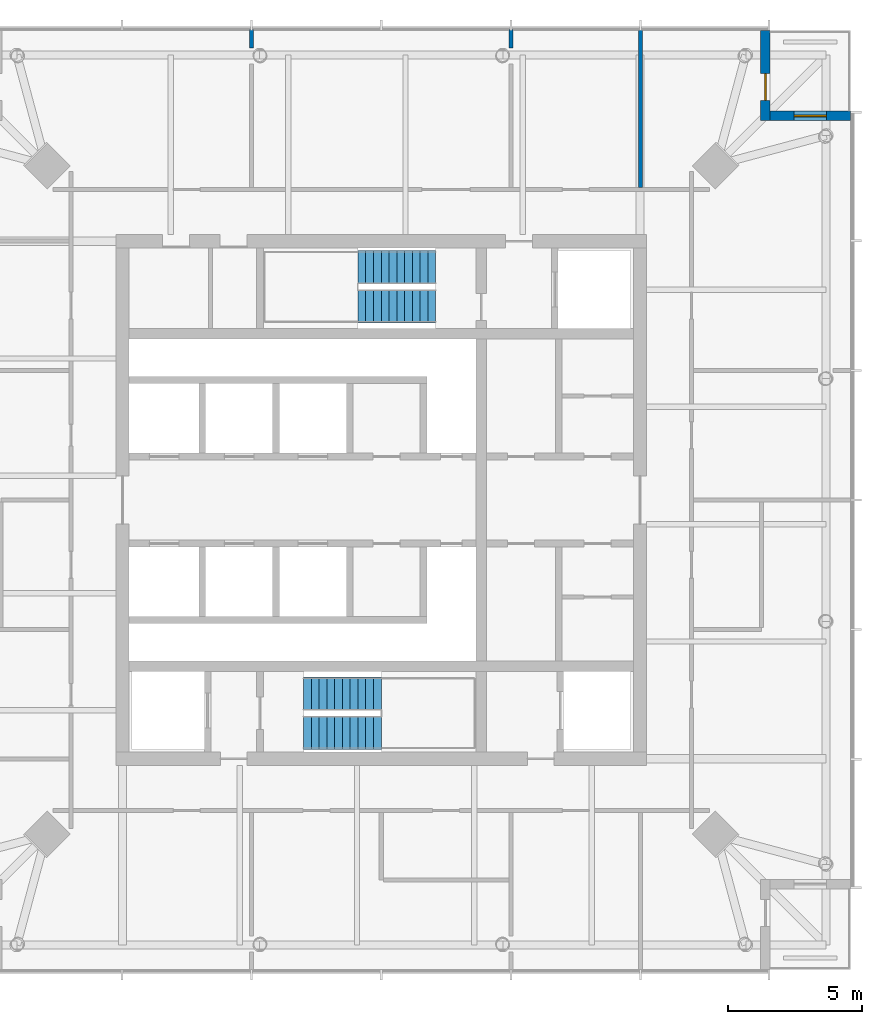
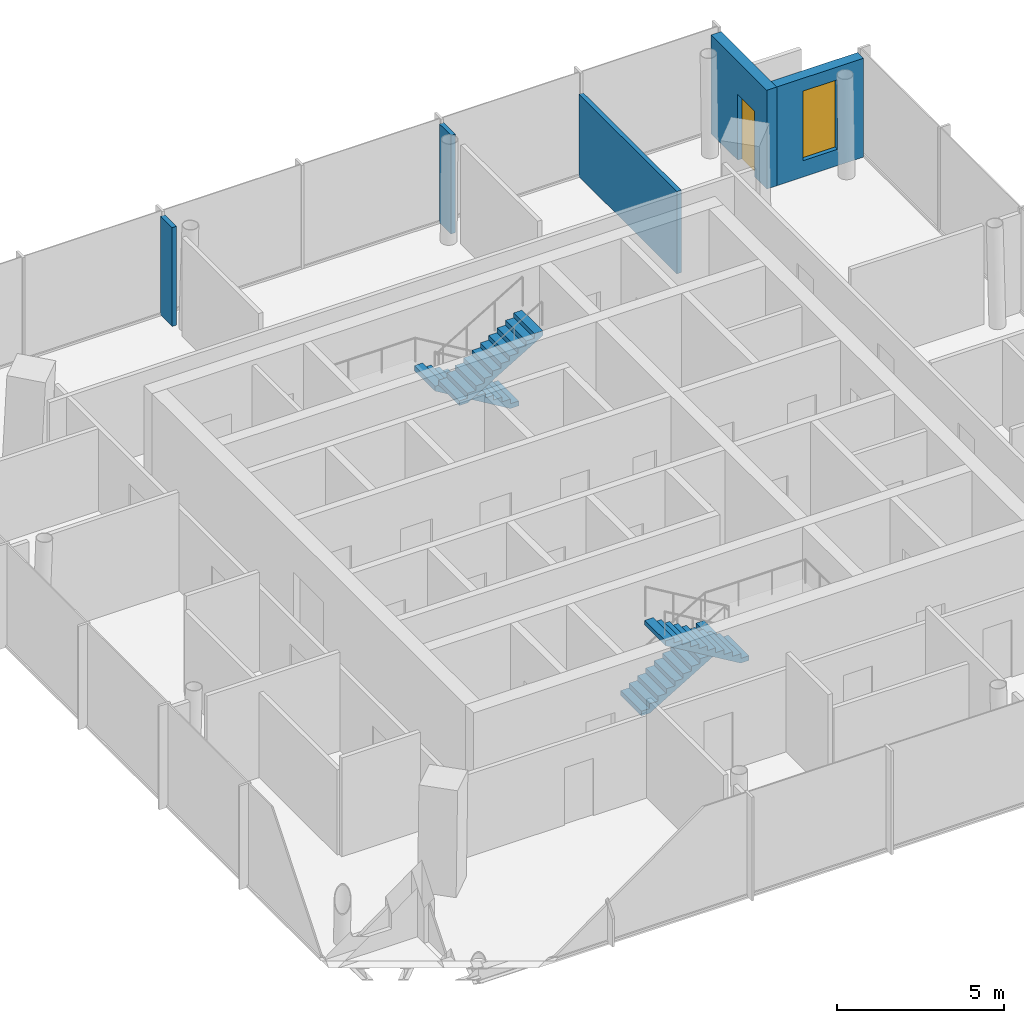
# One storey, part 6 of 7: 5 walls, 4 stair flights, 1 door, 1 window, 2 openings, 2 elements without a shape of their own.
"""IFC4 building model written with IfcOpenShell, lengths in metres."""

import ifcopenshell
import ifcopenshell.guid

model = None  # the IFC model being written
_history = None  # IfcOwnerHistory: only IFC2X3 demands one
_inside = {}  # id of a spatial element -> (the spatial element, [elements in it])
_under = {}  # id of a project, library or spatial element -> (it, [spatial elements below it])
_declared = {}  # id of a project -> (the project, [libraries it declares])
_typed = {}  # id of a type object -> (the type object, [elements of that type])
_made_of = {}  # id of a material, layer set ... -> (it, [elements and type objects made of it])


def new_model(schema):
    """Start an empty IFC model of exactly this schema.

    Asked for "IFC4X3", IfcOpenShell would pick the latest addendum, in which some entities
    have other attributes; the version numbers below select the first issue.
    IFC2X3 requires an IfcOwnerHistory on every rooted entity: one is made here for all.
    """
    global model, _history
    if schema == "IFC4X3":
        model = ifcopenshell.file(schema_version=(4, 3, 0, 0))
    else:
        model = ifcopenshell.file(schema=schema)
    _inside.clear()
    _under.clear()
    _declared.clear()
    _typed.clear()
    _made_of.clear()
    _history = None
    if model.schema == "IFC2X3":
        org = make("IfcOrganization", Name="unknown")
        user = make(
            "IfcPersonAndOrganization",
            ThePerson=make("IfcPerson", FamilyName="unknown"),
            TheOrganization=org,
        )
        app = make(
            "IfcApplication",
            ApplicationDeveloper=org,
            Version="unknown",
            ApplicationFullName="unknown",
            ApplicationIdentifier="unknown",
        )
        _history = make(
            "IfcOwnerHistory",
            OwningUser=user,
            OwningApplication=app,
            ChangeAction="ADDED",
            CreationDate=0,
        )
    return model


def make(cls, **values):
    """One entity of the class cls with the attributes given. An attribute that is None is left unset."""
    return model.create_entity(
        cls, **{name: value for name, value in values.items() if value is not None}
    )


def rooted(cls, **values):
    """An entity with a GlobalId (a new one), such as an element, a storey or a relation."""
    return make(cls, GlobalId=ifcopenshell.guid.new(), OwnerHistory=_history, **values)


def si_unit(unit_type, name, prefix=None):
    """IfcSIUnit, for example si_unit("LENGTHUNIT", "METRE", prefix="MILLI")."""
    return make("IfcSIUnit", UnitType=unit_type, Prefix=prefix, Name=name)


def assignment(units):
    """IfcUnitAssignment: the units of a project."""
    return None if units is None else make("IfcUnitAssignment", Units=units)


def point(xyz):
    """IfcCartesianPoint."""
    return None if xyz is None else make("IfcCartesianPoint", Coordinates=xyz)


def direction(xyz):
    """IfcDirection."""
    return None if xyz is None else make("IfcDirection", DirectionRatios=xyz)


def frame(location, z_axis=None, x_axis=None):
    """IfcAxis2Placement3D, a coordinate frame: its origin and axes. An axis left out is left unset."""
    return make(
        "IfcAxis2Placement3D",
        Location=point(location),
        Axis=direction(z_axis),
        RefDirection=direction(x_axis),
    )


def frame_2d(location, x_axis=None):
    """IfcAxis2Placement2D, a coordinate frame in the plane: its origin and x axis."""
    return make(
        "IfcAxis2Placement2D", Location=point(location), RefDirection=direction(x_axis)
    )


def origin():
    """The frame at (0, 0, 0) with its axes left unset."""
    return frame((0.0, 0.0, 0.0))


def place(relative_to, where):
    """IfcLocalPlacement: puts the frame where relative to a parent placement (None: the world)."""
    return make(
        "IfcLocalPlacement", PlacementRelTo=relative_to, RelativePlacement=where
    )


def context(
    kind, dimensions, precision=None, world=None, true_north=None, identifier=None
):
    """IfcGeometricRepresentationContext, for example the 3D "Model" context."""
    return make(
        "IfcGeometricRepresentationContext",
        ContextIdentifier=identifier,
        ContextType=kind,
        CoordinateSpaceDimension=dimensions,
        Precision=precision,
        WorldCoordinateSystem=world,
        TrueNorth=true_north,
    )


def subcontext(parent, identifier, kind, view, scale=None):
    """IfcGeometricRepresentationSubContext, for example "Body" below "Model"."""
    return make(
        "IfcGeometricRepresentationSubContext",
        ContextIdentifier=identifier,
        ContextType=kind,
        ParentContext=parent,
        TargetScale=scale,
        TargetView=view,
    )


def project(units=None, contexts=None):
    """IfcProject with its units and contexts."""
    return rooted(
        "IfcProject",
        Name="project",
        RepresentationContexts=contexts,
        UnitsInContext=assignment(units),
    )


def spatial(cls, under=None, at=None, **own):
    """A site, building, storey or space (cls), placed at a placement, below another one or the project."""
    s = rooted(cls, ObjectPlacement=at, **own)
    if under is not None:
        _under.setdefault(under.id(), (under, []))[1].append(s)
    return s


def polyline(points):
    """IfcPolyline through the points."""
    return make("IfcPolyline", Points=[point(p) for p in points])


def profile(cls, at=None, kind="AREA", **sizes):
    """A parametric profile (cls). Its sizes go by their IFC names, for example OverallWidth=200.0."""
    return make(cls, ProfileType=kind, Position=at, **sizes)


def rectangle(**sizes):
    """IfcRectangleProfileDef."""
    return profile("IfcRectangleProfileDef", **sizes)


def outline(outer, holes=None, kind="AREA"):
    """IfcArbitraryClosedProfileDef: a profile drawn as a closed curve; with holes, ...WithVoids."""
    if holes is None:
        return make("IfcArbitraryClosedProfileDef", ProfileType=kind, OuterCurve=outer)
    return make(
        "IfcArbitraryProfileDefWithVoids",
        ProfileType=kind,
        OuterCurve=outer,
        InnerCurves=holes,
    )


def extrude(swept, where, along, depth):
    """IfcExtrudedAreaSolid: the profile swept, set in the frame where, extruded along a direction by depth."""
    return make(
        "IfcExtrudedAreaSolid",
        SweptArea=swept,
        Position=where,
        ExtrudedDirection=direction(along),
        Depth=depth,
    )


def shape(context_of_items, identifier, shape_type, items):
    """IfcShapeRepresentation: the items that make up one representation, for example the "Body"."""
    return make(
        "IfcShapeRepresentation",
        ContextOfItems=context_of_items,
        RepresentationIdentifier=identifier,
        RepresentationType=shape_type,
        Items=items,
    )


def material(Name=None, Category=None):
    """IfcMaterial."""
    return make("IfcMaterial", Name=Name, Category=Category)


def layer(
    of_material, thickness, ventilated=None, Name=None, Category=None, Priority=None
):
    """IfcMaterialLayer: one layer of a wall or slab, of a material (None: an air gap)."""
    return make(
        "IfcMaterialLayer",
        Material=of_material,
        LayerThickness=thickness,
        IsVentilated=ventilated,
        Name=Name,
        Category=Category,
        Priority=Priority,
    )


def layer_set(layers, Name=None):
    """IfcMaterialLayerSet."""
    return make("IfcMaterialLayerSet", MaterialLayers=layers, LayerSetName=Name)


def made_of(thing, what):
    """Note that an element or type object is made of a material, layer set ...; save() writes the relation."""
    if what is not None:
        _made_of.setdefault(what.id(), (what, []))[1].append(thing)
    return thing


def type_object(cls, material=None, **own):
    """A type object (cls), such as IfcWallType, which elements share."""
    return made_of(rooted(cls, **own), material)


def element(
    cls,
    number,
    at=None,
    inside=None,
    cuts=None,
    type_object=None,
    material=None,
    context=None,
    identifier="Body",
    shape_type=None,
    held_by="IfcProductDefinitionShape",
    body=None,
    shapes=None,
    **own,
):
    """One element of the class cls, such as IfcWall. Its Tag is "e" and its number.

    at: its placement. inside: the storey or other place that contains it. cuts: it is an
    opening in that element (IfcRelVoidsElement). A single representation is given by context,
    identifier, shape_type and body (its items); several are given by shapes. held_by: the class
    of the entity that holds the representations. save() writes the other relations.
    """
    e = rooted(cls, Tag="e%d" % number, ObjectPlacement=at, **own)
    if body is not None:
        shapes = [shape(context, identifier, shape_type, body)]
    if shapes is not None:
        e.Representation = make(held_by, Representations=shapes)
    if inside is not None:
        _inside.setdefault(inside.id(), (inside, []))[1].append(e)
    if cuts is not None:
        rooted(
            "IfcRelVoidsElement", RelatingBuildingElement=cuts, RelatedOpeningElement=e
        )
    if type_object is not None:
        _typed.setdefault(type_object.id(), (type_object, []))[1].append(e)
    return made_of(e, material)


def fill(opening, filler):
    """IfcRelFillsElement: the door or window that sits in an opening."""
    return rooted(
        "IfcRelFillsElement",
        RelatingOpeningElement=opening,
        RelatedBuildingElement=filler,
    )


def aggregate(whole, parts):
    """IfcRelAggregates: a whole, such as a stair, and the parts it consists of."""
    return rooted("IfcRelAggregates", RelatingObject=whole, RelatedObjects=parts)


def save(model, path):
    """Write the relations noted so far, then the file.

    IfcRelAggregates (storeys below a building ...), IfcRelContainedInSpatialStructure (elements
    in a storey), IfcRelDefinesByType, IfcRelAssociatesMaterial and IfcRelDeclares: one each for
    every whole, place, type object, material and project.
    """
    for whole, parts in _under.values():
        aggregate(whole, parts)
    for where, things in _inside.values():
        rooted(
            "IfcRelContainedInSpatialStructure",
            RelatedElements=things,
            RelatingStructure=where,
        )
    for kind, things in _typed.values():
        rooted("IfcRelDefinesByType", RelatedObjects=things, RelatingType=kind)
    for what, things in _made_of.values():
        rooted("IfcRelAssociatesMaterial", RelatedObjects=things, RelatingMaterial=what)
    for by, libraries in _declared.values():
        rooted("IfcRelDeclares", RelatingContext=by, RelatedDefinitions=libraries)
    model.write(path)


model = new_model("IFC4")

# Units and contexts
model_context = context("Model", 3, precision=1e-05, world=origin(), true_north=direction((0.0, 1.0)))
body_context = subcontext(model_context, "Body", "Model", "MODEL_VIEW")
ifc_project = project(units=[si_unit("LENGTHUNIT", "METRE"), si_unit("AREAUNIT", "SQUARE_METRE"), si_unit("VOLUMEUNIT", "CUBIC_METRE"), si_unit("PLANEANGLEUNIT", "RADIAN"), si_unit("MASSUNIT", "GRAM", prefix="KILO")], contexts=[model_context])

# Site, building, storey
site_placement = place(None, origin())
site = spatial("IfcSite", under=ifc_project, at=site_placement, CompositionType="ELEMENT")
building_placement = place(site_placement, origin())
building = spatial("IfcBuilding", under=site, at=building_placement, Name="Ostroluk Exchange", CompositionType="ELEMENT")
storey_placement = place(building_placement, frame((0.0, 0.0, 252.800048828125)))
storey = spatial("IfcBuildingStorey", under=building, at=storey_placement, Name="L65", CompositionType="ELEMENT", Elevation=252.800048828125)

# Wall, opening, door
ifc_material_1 = material(Name="Limestone", Category="masonry")
ifc_layer_1 = layer(ifc_material_1, 0.35009765625)
ifc_layer_set_1 = layer_set([ifc_layer_1], Name="Limestone facade wall 350")
wall_type_1 = type_object("IfcWallType", Name="Limestone facade wall 350", PredefinedType="SOLIDWALL", material=ifc_layer_set_1)
wall_1_placement = place(storey_placement, frame((59.324951171875, 63.5, 0.0), z_axis=(0.0, 0.0, 1.0), x_axis=(0.0, -1.0, 0.0)))
wall_1 = element("IfcWall", 1, at=wall_1_placement, inside=storey, type_object=wall_type_1, Name="Office tower NE corner wall L65 a", PredefinedType="SOLIDWALL", context=body_context, shape_type="SweptSolid", body=[
    extrude(rectangle(XDim=3.35009765625, YDim=0.35009765625, at=frame_2d((1.675048828125, 0.0))), origin(), (0.0, 0.0, 1.0), 3.619873046875),
])
opening_1_placement = place(wall_1_placement, frame((1.60009765625, 0.0, 0.0)))
opening_1 = element("IfcOpeningElement", 2, at=opening_1_placement, cuts=wall_1, Name="Opening D-B1", PredefinedType="OPENING", context=body_context, shape_type="SweptSolid", body=[
    extrude(rectangle(XDim=1.0, YDim=2.39990234375, at=frame_2d((0.5, 1.199951171875))), frame((0.0, 0.18505859375, 0.0), z_axis=(0.0, -1.0, 0.0), x_axis=(1.0, 0.0, 0.0)), (0.0, 0.0, 1.0), 0.3701171875),
])
ifc_material_2 = material(Name="Bronze framed glazed door", Category="aluminium")
door_type = type_object("IfcDoorType", Name="Balcony door 1000 x 2400", OperationType="SINGLE_SWING_LEFT", PredefinedType="DOOR", material=ifc_material_2)
door_placement = place(opening_1_placement, origin())
door = element("IfcDoor", 3, at=door_placement, inside=storey, type_object=door_type, Name="Office tower NE balcony door L65", OperationType="SINGLE_SWING_RIGHT", OverallHeight=2.39990234375, OverallWidth=1.0, PredefinedType="DOOR", context=body_context, shape_type="SweptSolid", body=[
    extrude(rectangle(XDim=1.0, YDim=2.39990234375, at=frame_2d((0.5, 1.199951171875))), frame((0.0, 0.02490234375, 0.0), z_axis=(0.0, -1.0, 0.0), x_axis=(1.0, 0.0, 0.0)), (0.0, 0.0, 1.0), 0.050048828125),
])
fill(opening_1, door)

# Wall, opening, window
wall_2_placement = place(storey_placement, frame((59.5, 60.324951171875, 0.0), z_axis=(0.0, 0.0, 1.0), x_axis=(1.0, 0.0, 0.0)))
wall_2 = element("IfcWall", 4, at=wall_2_placement, inside=storey, type_object=wall_type_1, Name="Office tower NE corner wall L65 b", PredefinedType="SOLIDWALL", context=body_context, shape_type="SweptSolid", body=[
    extrude(rectangle(XDim=3.0, YDim=0.35009765625, at=frame_2d((1.5, 0.0))), origin(), (0.0, 0.0, 1.0), 3.619873046875),
])
opening_2_placement = place(wall_2_placement, frame((0.89990234375, 0.0, 0.60009765625)))
opening_2 = element("IfcOpeningElement", 5, at=opening_2_placement, cuts=wall_2, Name="Opening WN-L1", PredefinedType="OPENING", context=body_context, shape_type="SweptSolid", body=[
    extrude(rectangle(XDim=1.199951171875, YDim=2.550048828125, at=frame_2d((0.60009765625, 1.27490234375))), frame((0.0, 0.18505859375, 0.0), z_axis=(0.0, -1.0, 0.0), x_axis=(1.0, 0.0, 0.0)), (0.0, 0.0, 1.0), 0.3701171875),
])
ifc_material_3 = material(Name="Laminated clear glass", Category="glass")
window_type = type_object("IfcWindowType", Name="Lancet window 1200 x 2550", PartitioningType="SINGLE_PANEL", PredefinedType="WINDOW", material=ifc_material_3)
window_placement = place(opening_2_placement, origin())
window = element("IfcWindow", 6, at=window_placement, inside=storey, type_object=window_type, Name="Office tower NE lancet window L65", OverallHeight=2.550048828125, OverallWidth=1.199951171875, PartitioningType="SINGLE_PANEL", PredefinedType="WINDOW", context=body_context, shape_type="SweptSolid", body=[
    extrude(rectangle(XDim=1.199951171875, YDim=2.550048828125, at=frame_2d((0.60009765625, 1.27490234375))), frame((0.0, 0.030029296875, 0.0), z_axis=(0.0, -1.0, 0.0), x_axis=(1.0, 0.0, 0.0)), (0.0, 0.0, 1.0), 0.06005859375),
])
fill(opening_2, window)

# Walls
ifc_material_4 = material(Name="Gypsum plasterboard partition", Category="gypsum")
ifc_layer_2 = layer(ifc_material_4, 0.14990234375)
ifc_layer_set_2 = layer_set([ifc_layer_2], Name="Plasterboard partition 150")
wall_type_2 = type_object("IfcWallType", Name="Plasterboard partition 150", PredefinedType="PARTITIONING", material=ifc_layer_set_2)
wall_3_placement = place(storey_placement, frame((54.666748046875, 57.64990234375, 0.0), z_axis=(0.0, 0.0, 1.0), x_axis=(0.0, 1.0, 0.0)))
element("IfcWall", 7, at=wall_3_placement, inside=storey, type_object=wall_type_2, Name="Partition", PredefinedType="PARTITIONING", context=body_context, shape_type="SweptSolid", body=[
    extrude(rectangle(XDim=5.89013671875, YDim=0.14990234375, at=frame_2d((2.945068359375, 0.0))), origin(), (0.0, 0.0, 1.0), 3.02001953125),
])
for number, where, z_axis, x_axis, name in (
    (8, (49.833251953125, 62.846923828125, 0.0), (0.0, 0.0, 1.0), (0.0, 1.0, 0.0), "Partition"),
    (9, (40.166748046875, 62.846923828125, 0.0), (0.0, 0.0, 1.0), (0.0, 1.0, 0.0), "Partition"),
):
    element("IfcWall", number, at=place(storey_placement, frame(where, z_axis=z_axis, x_axis=x_axis)), inside=storey, type_object=wall_type_2, Name=name, PredefinedType="PARTITIONING", context=body_context, shape_type="SweptSolid", body=[
        extrude(rectangle(XDim=0.693115234375, YDim=0.14990234375, at=frame_2d((0.3466796875, 0.0))), origin(), (0.0, 0.0, 1.0), 3.619873046875),
    ])

# Stair, stair flights
ifc_material_5 = material(Name="Concrete C30/37", Category="concrete")
stair_type = type_object("IfcStairType", Name="Exit stair half turn 3800", PredefinedType="HALF_TURN_STAIR", material=ifc_material_5)
stair_1_placement = place(storey_placement, origin())
stair_1 = element("IfcStair", 10, at=stair_1_placement, inside=storey, type_object=stair_type, Name="Stair T1-S1 L65", PredefinedType="HALF_TURN_STAIR")
ifc_material_6 = material(Name="Concrete C30/37", Category="concrete")
stair_flight_type = type_object("IfcStairFlightType", Name="Stair flight 11 risers 172.7 x 290", PredefinedType="STRAIGHT", material=ifc_material_6)
stair_flight_1_placement = place(storey_placement, frame((42.10009765625, 38.77490234375, 0.0), z_axis=(0.0, 0.0, 1.0), x_axis=(1.0, 0.0, 0.0)))
stair_flight_1 = element("IfcStairFlight", 11, at=stair_flight_1_placement, type_object=stair_flight_type, Name="T1-S1 flight 1", NumberOfRisers=11, NumberOfTreads=10, PredefinedType="STRAIGHT", RiserHeight=0.172727273, TreadLength=0.29, context=body_context, shape_type="SweptSolid", body=[
    extrude(outline(polyline([(0.0, 0.0), (0.0, 0.172607421875), (0.2900390625, 0.172607421875), (0.2900390625, 0.345458984375), (0.580078125, 0.345458984375), (0.580078125, 0.51806640625), (0.8701171875, 0.51806640625), (0.8701171875, 0.69091796875), (1.159912109375, 0.69091796875), (1.159912109375, 0.863525390625), (1.449951171875, 0.863525390625), (1.449951171875, 1.036376953125), (1.739990234375, 1.036376953125), (1.739990234375, 1.208984375), (2.030029296875, 1.208984375), (2.030029296875, 1.3818359375), (2.320068359375, 1.3818359375), (2.320068359375, 1.554443359375), (2.610107421875, 1.554443359375), (2.610107421875, 1.727294921875), (2.89990234375, 1.727294921875), (2.89990234375, 1.89990234375), (2.89990234375, 1.552734375), (0.29296875, 0.0), (0.0, 0.0)])), frame((0.0, 0.625, 0.0), z_axis=(0.0, -1.0, 0.0), x_axis=(1.0, 0.0, 0.0)), (0.0, 0.0, 1.0), 1.25),
])
stair_flight_2_placement = place(storey_placement, frame((45.0, 37.324951171875, 1.89990234375), z_axis=(0.0, 0.0, 1.0), x_axis=(-1.0, 0.0, 0.0)))
stair_flight_2 = element("IfcStairFlight", 12, at=stair_flight_2_placement, type_object=stair_flight_type, Name="T1-S1 flight 2", NumberOfRisers=11, NumberOfTreads=10, PredefinedType="STRAIGHT", RiserHeight=0.172727273, TreadLength=0.29, context=body_context, shape_type="SweptSolid", body=[
    extrude(outline(polyline([(0.0, 0.0), (0.0, 0.172607421875), (0.2900390625, 0.172607421875), (0.2900390625, 0.345458984375), (0.580078125, 0.345458984375), (0.580078125, 0.51806640625), (0.8701171875, 0.51806640625), (0.8701171875, 0.69091796875), (1.159912109375, 0.69091796875), (1.159912109375, 0.863525390625), (1.449951171875, 0.863525390625), (1.449951171875, 1.036376953125), (1.739990234375, 1.036376953125), (1.739990234375, 1.208984375), (2.030029296875, 1.208984375), (2.030029296875, 1.3818359375), (2.320068359375, 1.3818359375), (2.320068359375, 1.554443359375), (2.610107421875, 1.554443359375), (2.610107421875, 1.727294921875), (2.89990234375, 1.727294921875), (2.89990234375, 1.89990234375), (2.89990234375, 1.552734375), (0.29296875, 0.0), (0.0, 0.0)])), frame((0.0, 0.625, 0.0), z_axis=(0.0, -1.0, 0.0), x_axis=(1.0, 0.0, 0.0)), (0.0, 0.0, 1.0), 1.25),
])
aggregate(stair_1, [stair_flight_1, stair_flight_2])

stair_2_placement = place(storey_placement, origin())
stair_2 = element("IfcStair", 13, at=stair_2_placement, inside=storey, type_object=stair_type, Name="Stair T1-S2 L65", PredefinedType="HALF_TURN_STAIR")
stair_flight_3_placement = place(storey_placement, frame((47.030029296875, 54.675048828125, 0.0), z_axis=(0.0, 0.0, 1.0), x_axis=(-1.0, 0.0, 0.0)))
stair_flight_3 = element("IfcStairFlight", 14, at=stair_flight_3_placement, type_object=stair_flight_type, Name="T1-S2 flight 1", NumberOfRisers=11, NumberOfTreads=10, PredefinedType="STRAIGHT", RiserHeight=0.172727273, TreadLength=0.29, context=body_context, shape_type="SweptSolid", body=[
    extrude(outline(polyline([(0.0, 0.0), (0.0, 0.172607421875), (0.2900390625, 0.172607421875), (0.2900390625, 0.345458984375), (0.580078125, 0.345458984375), (0.580078125, 0.51806640625), (0.8701171875, 0.51806640625), (0.8701171875, 0.69091796875), (1.159912109375, 0.69091796875), (1.159912109375, 0.863525390625), (1.449951171875, 0.863525390625), (1.449951171875, 1.036376953125), (1.739990234375, 1.036376953125), (1.739990234375, 1.208984375), (2.030029296875, 1.208984375), (2.030029296875, 1.3818359375), (2.320068359375, 1.3818359375), (2.320068359375, 1.554443359375), (2.610107421875, 1.554443359375), (2.610107421875, 1.727294921875), (2.89990234375, 1.727294921875), (2.89990234375, 1.89990234375), (2.89990234375, 1.552734375), (0.29296875, 0.0), (0.0, 0.0)])), frame((0.0, 0.625, 0.0), z_axis=(0.0, -1.0, 0.0), x_axis=(1.0, 0.0, 0.0)), (0.0, 0.0, 1.0), 1.25),
])
stair_flight_4_placement = place(storey_placement, frame((44.1298828125, 53.22509765625, 1.89990234375), z_axis=(0.0, 0.0, 1.0), x_axis=(1.0, 0.0, 0.0)))
stair_flight_4 = element("IfcStairFlight", 15, at=stair_flight_4_placement, type_object=stair_flight_type, Name="T1-S2 flight 2", NumberOfRisers=11, NumberOfTreads=10, PredefinedType="STRAIGHT", RiserHeight=0.172727273, TreadLength=0.29, context=body_context, shape_type="SweptSolid", body=[
    extrude(outline(polyline([(0.0, 0.0), (0.0, 0.172607421875), (0.2900390625, 0.172607421875), (0.2900390625, 0.345458984375), (0.580078125, 0.345458984375), (0.580078125, 0.51806640625), (0.8701171875, 0.51806640625), (0.8701171875, 0.69091796875), (1.159912109375, 0.69091796875), (1.159912109375, 0.863525390625), (1.449951171875, 0.863525390625), (1.449951171875, 1.036376953125), (1.739990234375, 1.036376953125), (1.739990234375, 1.208984375), (2.030029296875, 1.208984375), (2.030029296875, 1.3818359375), (2.320068359375, 1.3818359375), (2.320068359375, 1.554443359375), (2.610107421875, 1.554443359375), (2.610107421875, 1.727294921875), (2.89990234375, 1.727294921875), (2.89990234375, 1.89990234375), (2.89990234375, 1.552734375), (0.29296875, 0.0), (0.0, 0.0)])), frame((0.0, 0.625, 0.0), z_axis=(0.0, -1.0, 0.0), x_axis=(1.0, 0.0, 0.0)), (0.0, 0.0, 1.0), 1.25),
])
aggregate(stair_2, [stair_flight_3, stair_flight_4])

save(model, "model.ifc")
